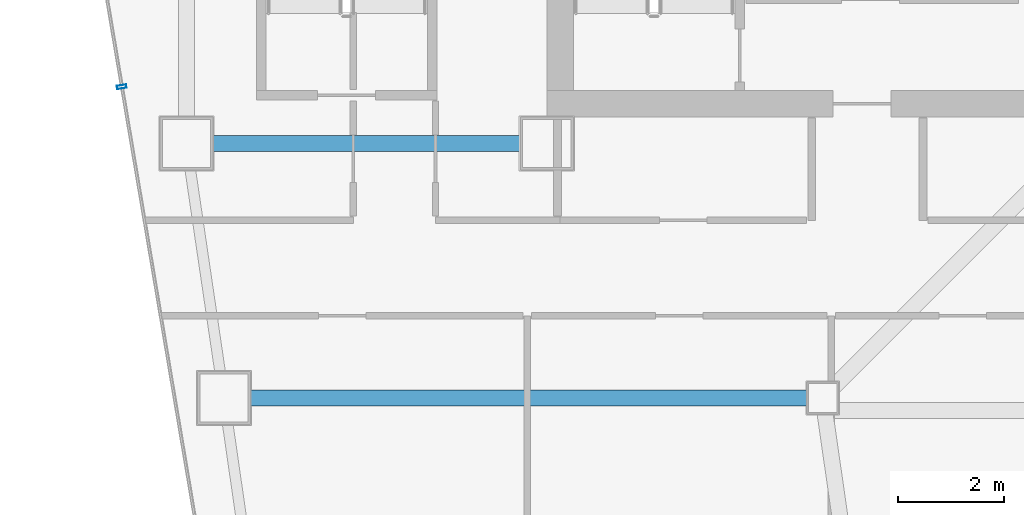
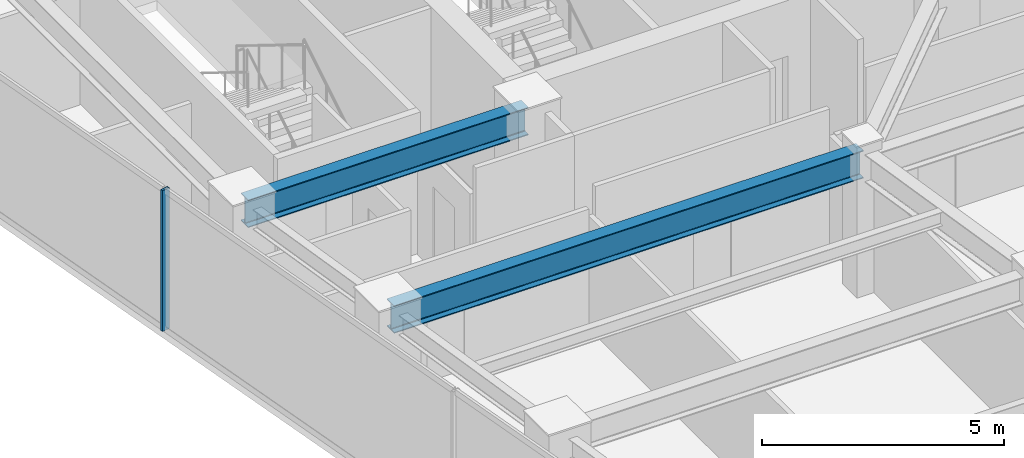
# One storey, part 10 of 35: 2 beams, 1 member, 1 element without a shape of its own.
"""IFC4 building model written with IfcOpenShell, lengths in metres."""

from ifc_helpers import new_model, si_unit, direction, frame, origin, origin_2d, place, context, subcontext, project, spatial, hollow_rectangle, i_section, extrude, material, material_profile, profile_set, type_object, element, aggregate, save


model = new_model("IFC4")

# Units and contexts
model_context = context("Model", 3, precision=1e-05, world=origin(), true_north=direction((0.0, 1.0)))
body_context = subcontext(model_context, "Body", "Model", "MODEL_VIEW")
ifc_project = project(units=[si_unit("LENGTHUNIT", "METRE"), si_unit("AREAUNIT", "SQUARE_METRE"), si_unit("VOLUMEUNIT", "CUBIC_METRE"), si_unit("PLANEANGLEUNIT", "RADIAN"), si_unit("MASSUNIT", "GRAM", prefix="KILO")], contexts=[model_context])

# Site, building, storey
site_placement = place(None, origin())
site = spatial("IfcSite", under=ifc_project, at=site_placement, CompositionType="ELEMENT")
building_placement = place(site_placement, origin())
building = spatial("IfcBuilding", under=site, at=building_placement, Name="Saevonmaru Cultural Tower", CompositionType="ELEMENT")
storey_placement = place(building_placement, frame((0.0, 0.0, 179.0)))
storey = spatial("IfcBuildingStorey", under=building, at=storey_placement, Name="L40", CompositionType="ELEMENT", Elevation=179.0)

# Beams
ifc_material_1 = material(Name="Steel SM355", Category="steel")
ifc_material_profile_1 = material_profile(ifc_material_1, i_section(OverallWidth=0.300048828125, OverallDepth=0.699951171875, WebThickness=0.012939453125, FlangeThickness=0.02392578125, FilletRadius=0.02587890625, at=origin_2d()), Name="H-700x300x13x24")
ifc_profile_set_1 = profile_set([ifc_material_profile_1], Name="Steel SM355")
beam_type = type_object("IfcBeamType", Name="BM-G-H700", PredefinedType="BEAM", material=ifc_profile_set_1)
beam_1_placement = place(storey_placement, frame((6.860107421875, 42.39990234375, 3.199951171875), z_axis=(1.0, 0.0, 0.0), x_axis=(0.0, 1.0, 0.0)))
element("IfcBeam", 1, at=beam_1_placement, inside=storey, type_object=beam_type, Name="L40 Core South Girder 1", PredefinedType="BEAM", context=body_context, shape_type="SweptSolid", body=[
    extrude(i_section(OverallWidth=0.300048828125, OverallDepth=0.699951171875, WebThickness=0.012939453125, FlangeThickness=0.02392578125, FilletRadius=0.02587890625, at=origin_2d()), origin(), (0.0, 0.0, 1.0), 6.679931640625),
])
beam_2_placement = place(storey_placement, frame((7.568115234375, 37.60009765625, 3.199951171875), z_axis=(1.0, 0.0, 0.0), x_axis=(0.0, 1.0, 0.0)))
element("IfcBeam", 2, at=beam_2_placement, inside=storey, type_object=beam_type, Name="L40 West Wing Transverse Girder 4", PredefinedType="BEAM", context=body_context, shape_type="SweptSolid", body=[
    extrude(i_section(OverallWidth=0.300048828125, OverallDepth=0.699951171875, WebThickness=0.012939453125, FlangeThickness=0.02392578125, FilletRadius=0.02587890625, at=origin_2d()), origin(), (0.0, 0.0, 1.0), 11.179931640625),
])

# Curtain wall, member
ifc_material_2 = material(Name="Satin Bronze Anodised Aluminium", Category="aluminium")
curtain_wall_type = type_object("IfcCurtainWallType", Name="CW-TYP-B", PredefinedType="NOTDEFINED", material=ifc_material_2)
curtain_wall_placement = place(storey_placement, origin())
curtain_wall = element("IfcCurtainWall", 3, at=curtain_wall_placement, inside=storey, type_object=curtain_wall_type, Name="L40 Unitised Curtain Wall E12", PredefinedType="NOTDEFINED")
ifc_material_profile_2 = material_profile(ifc_material_2, hollow_rectangle(XDim=0.06494140625, YDim=0.179931640625, WallThickness=0.00390625, at=origin_2d()), Name="ALU-MULL-180x65x4")
ifc_profile_set_2 = profile_set([ifc_material_profile_2], Name="Satin Bronze Anodised Aluminium")
member_type = type_object("IfcMemberType", Name="ML-CW-180x65", PredefinedType="MULLION", material=ifc_profile_set_2)
member_placement = place(storey_placement, frame((5.579345703125, 43.470458984375, 0.0), z_axis=(0.0, 0.0, 1.0), x_axis=(0.16692169721, -0.985970155228, 0.0)))
member = element("IfcMember", 4, at=member_placement, type_object=member_type, Name="CW-TW-L40-E12 mullion 2", PredefinedType="MULLION", context=body_context, shape_type="SweptSolid", body=[
    extrude(hollow_rectangle(XDim=0.06494140625, YDim=0.179931640625, WallThickness=0.00390625, at=origin_2d()), origin(), (0.0, 0.0, 1.0), 3.550048828125),
])
aggregate(curtain_wall, [member])

save(model, "model.ifc")
